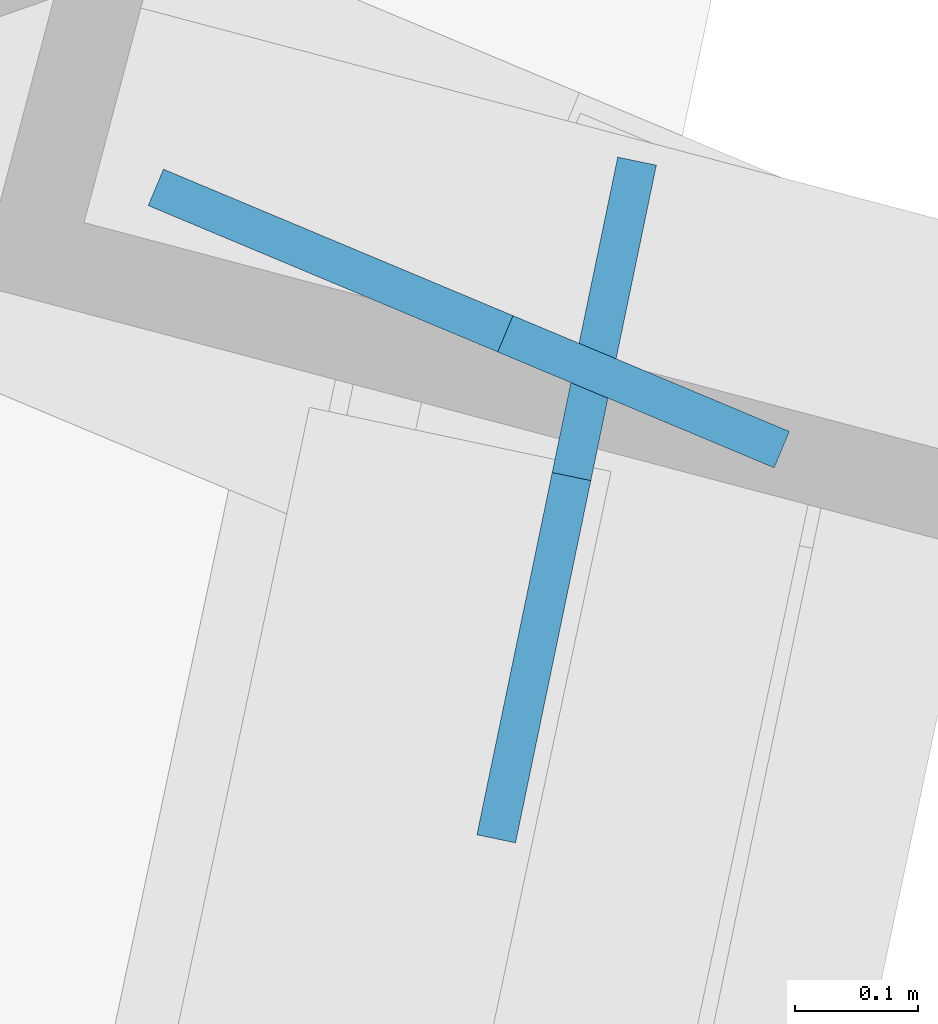
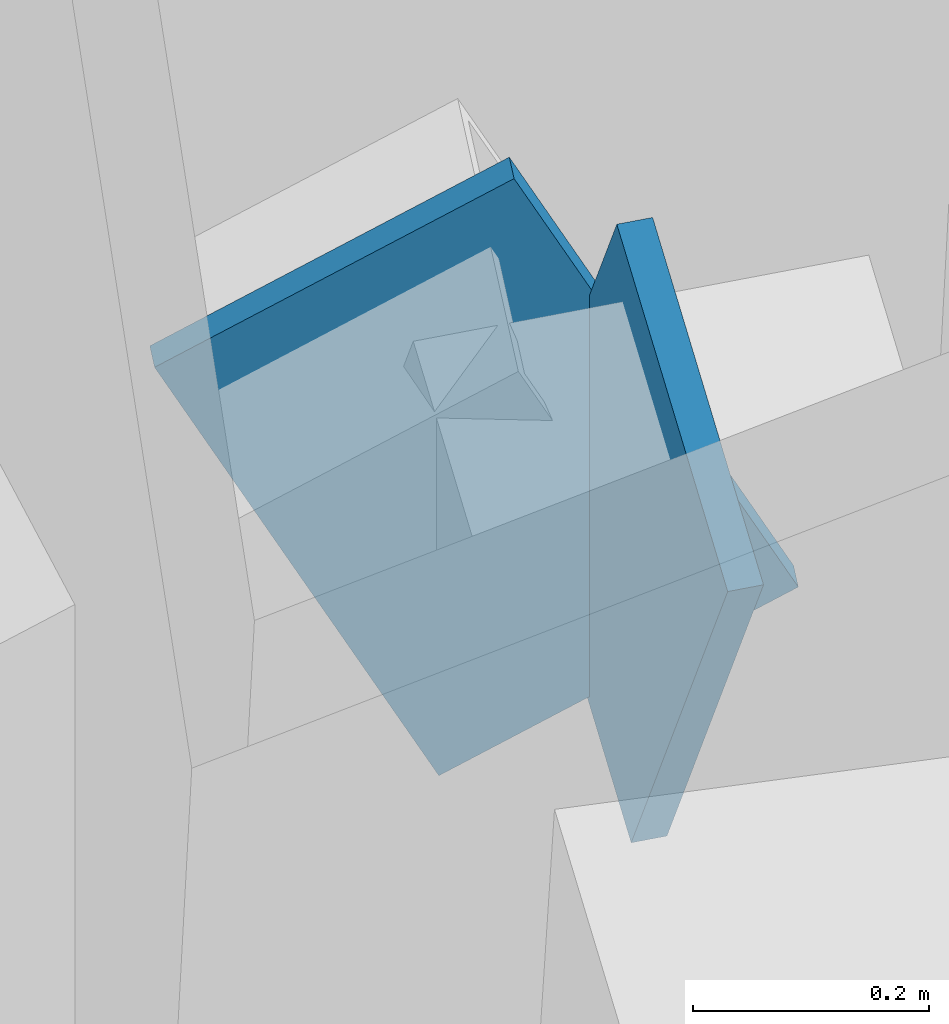
# One storey, part 12 of 14: 2 discrete accessories.
"""IFC4 building model written with IfcOpenShell, lengths in metres."""

from ifc_helpers import new_model, si_unit, direction, frame, origin, origin_2d, place, context, subcontext, project, spatial, rectangle, extrude, material, material_profile, profile_set, type_object, element, save


model = new_model("IFC4")

# Units and contexts
model_context = context("Model", 3, precision=1e-05, world=origin(), true_north=direction((0.0, 1.0)))
body_context = subcontext(model_context, "Body", "Model", "MODEL_VIEW")
ifc_project = project(units=[si_unit("LENGTHUNIT", "METRE"), si_unit("AREAUNIT", "SQUARE_METRE"), si_unit("VOLUMEUNIT", "CUBIC_METRE"), si_unit("PLANEANGLEUNIT", "RADIAN"), si_unit("MASSUNIT", "GRAM", prefix="KILO")], contexts=[model_context])

# Site, building, storey
site_placement = place(None, origin())
site = spatial("IfcSite", under=ifc_project, at=site_placement, CompositionType="ELEMENT")
building_placement = place(site_placement, origin())
building = spatial("IfcBuilding", under=site, at=building_placement, Name="Cormorant Prow Tower", CompositionType="ELEMENT")
storey_placement = place(building_placement, frame((0.0, 0.0, 94.60009765625)))
storey = spatial("IfcBuildingStorey", under=building, at=storey_placement, Name="L19", CompositionType="ELEMENT", Elevation=94.60009765625)

# Discrete accessories
ifc_material = material(Name="Structural steel ASTM A500 Gr C", Category="steel")
ifc_material_profile = material_profile(ifc_material, rectangle(XDim=0.031982421875, YDim=0.506103515625, at=origin_2d()), Name="Gusset plate 32x506")
ifc_profile_set = profile_set([ifc_material_profile], Name="Structural steel ASTM A500 Gr C")
discrete_accessory_type = type_object("IfcDiscreteAccessoryType", Name="Gusset plate 32x506", PredefinedType="BRACKET", material=ifc_profile_set)
for number, where, z_axis, x_axis, name in (
    (1, (32.1767578125, -5.0947265625, 3.9951171875), (0.17429713388, 0.838717808228, 0.515919516283), (-0.979081862441, 0.203466721206, 0.0), "Gusset plate GP2 L19.ENE00.g1"),
    (2, (31.986328125, -4.741455078125, 4.005859375), (0.809165361101, -0.339012384047, 0.479918765894), (0.386421278241, 0.922322392509, 0.0), "Gusset plate GP2 L19.ENE01.g1"),
):
    element("IfcDiscreteAccessory", number, at=place(storey_placement, frame(where, z_axis=z_axis, x_axis=x_axis)), inside=storey, type_object=discrete_accessory_type, Name=name, PredefinedType="BRACKET", context=body_context, shape_type="SweptSolid", body=[
        extrude(rectangle(XDim=0.031982421875, YDim=0.506103515625, at=origin_2d()), origin(), (0.0, 0.0, 1.0), 0.35009765625),
    ])

save(model, "model.ifc")
